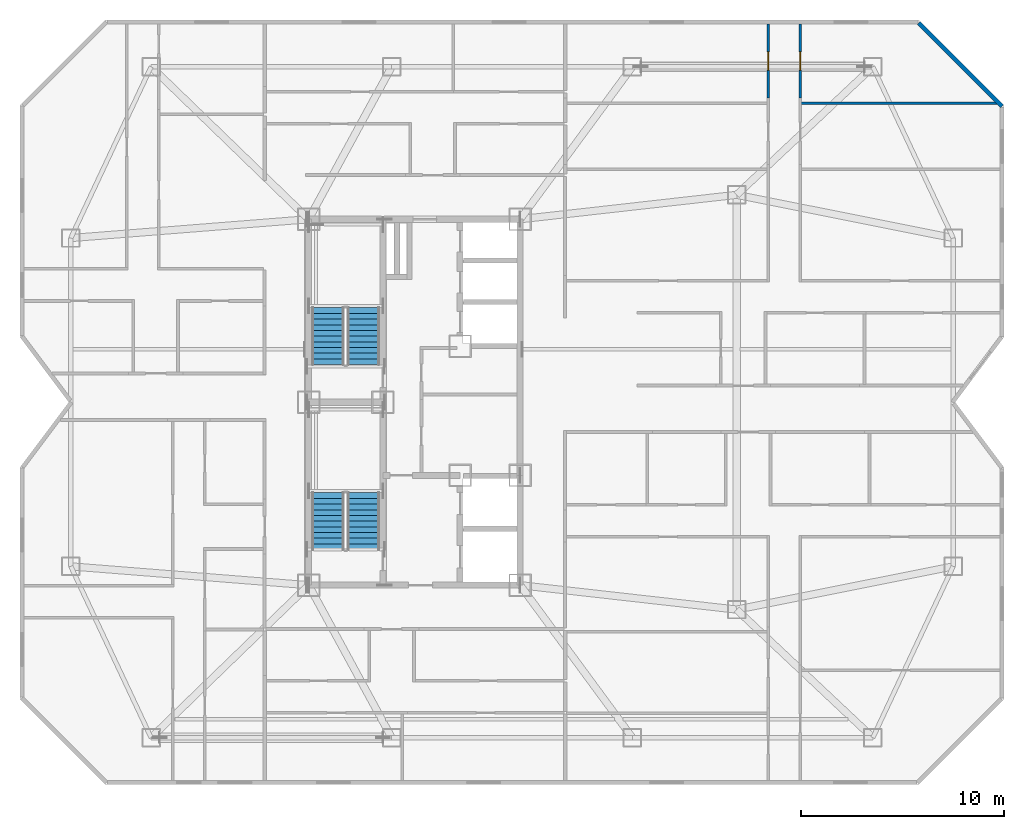
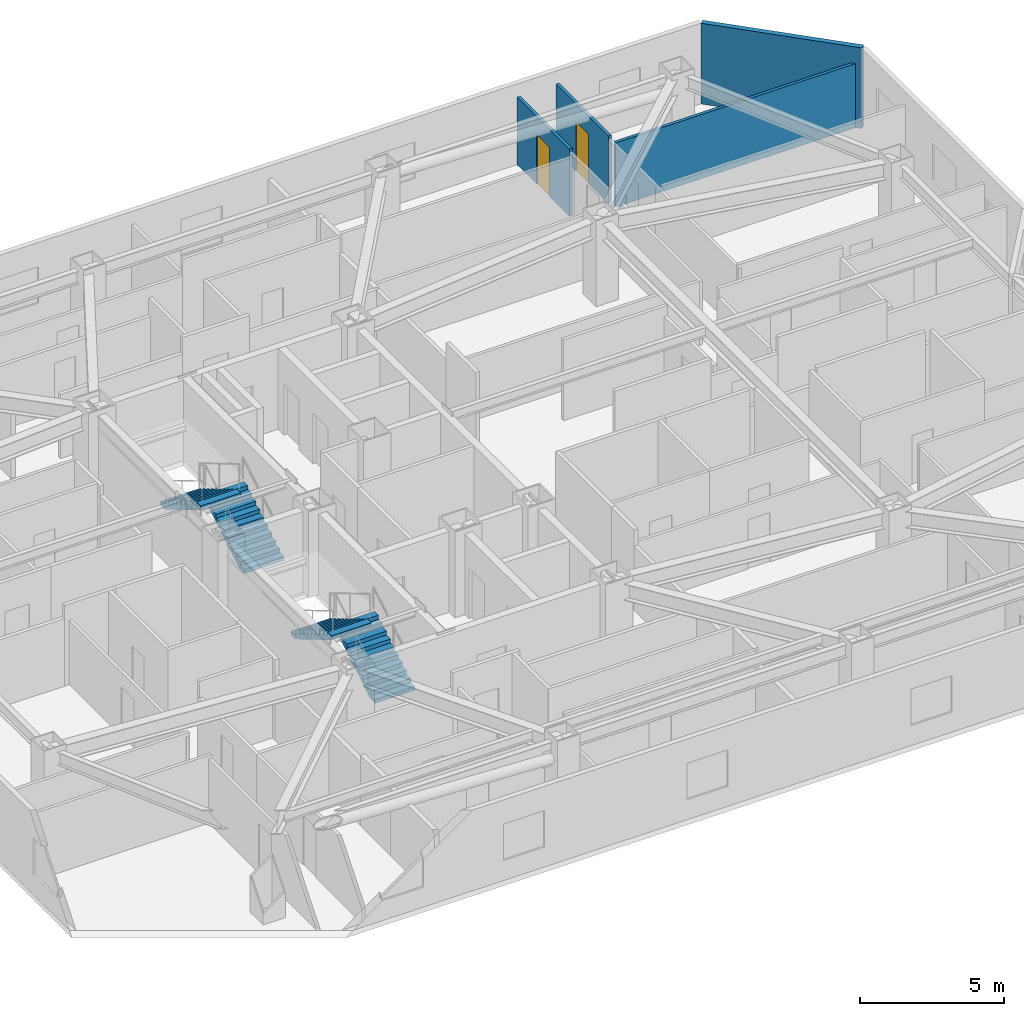
# One storey, part 10 of 11: 4 stair flights, 4 walls, 2 doors, 2 openings, 2 elements without a shape of their own.
"""IFC4 building model written with IfcOpenShell, lengths in metres."""

from ifc_helpers import new_model, si_unit, direction, frame, frame_2d, origin, place, context, subcontext, project, spatial, polyline, rectangle, outline, extrude, material, layer, layer_set, type_object, element, fill, aggregate, save


model = new_model("IFC4")

# Units and contexts
model_context = context("Model", 3, precision=1e-05, world=origin(), true_north=direction((0.0, 1.0)))
body_context = subcontext(model_context, "Body", "Model", "MODEL_VIEW")
ifc_project = project(units=[si_unit("LENGTHUNIT", "METRE"), si_unit("AREAUNIT", "SQUARE_METRE"), si_unit("VOLUMEUNIT", "CUBIC_METRE"), si_unit("PLANEANGLEUNIT", "RADIAN"), si_unit("MASSUNIT", "GRAM", prefix="KILO")], contexts=[model_context])

# Site, building, storey
site_placement = place(None, origin())
site = spatial("IfcSite", under=ifc_project, at=site_placement, CompositionType="ELEMENT")
building_placement = place(site_placement, origin())
building = spatial("IfcBuilding", under=site, at=building_placement, Name="Khamvora Tower", CompositionType="ELEMENT")
storey_placement = place(building_placement, frame((0.0, 0.0, 163.199951171875)))
storey = spatial("IfcBuildingStorey", under=building, at=storey_placement, Name="L41", CompositionType="ELEMENT", Elevation=163.199951171875)

# Wall
ifc_material_1 = material(Name="Precast concrete C40/50", Category="concrete")
ifc_layer_1 = layer(ifc_material_1, 0.199951171875)
ifc_layer_set_1 = layer_set([ifc_layer_1], Name="Precast concrete C40/50")
wall_type_1 = type_object("IfcWallType", Name="WAL-EXT-200", PredefinedType="STANDARD", material=ifc_layer_set_1)
wall_1_placement = place(storey_placement, frame((59.0029296875, 46.656005859375, 0.0), z_axis=(0.0, 0.0, 1.0), x_axis=(0.707127848917, -0.707085712828, 0.0)))
element("IfcWall", 1, at=wall_1_placement, inside=storey, type_object=wall_type_1, Name="L41 exterior facade wall 08.1", PredefinedType="STANDARD", context=body_context, shape_type="SweptSolid", body=[
    extrude(rectangle(XDim=5.794189453125, YDim=0.199951171875, at=frame_2d((2.89697265625, 0.0))), origin(), (0.0, 0.0, 1.0), 3.429931640625),
])

# Wall, opening, door
ifc_material_2 = material(Name="Gypsum Plasterboard Partition", Category="gypsum")
ifc_layer_2 = layer(ifc_material_2, 0.1201171875)
ifc_layer_set_2 = layer_set([ifc_layer_2], Name="Gypsum Plasterboard Partition")
wall_type_2 = type_object("IfcWallType", Name="WAL-PART-120", PredefinedType="PARTITIONING", material=ifc_layer_set_2)
wall_2_placement = place(storey_placement, frame((51.60009765625, 42.9619140625, 0.0), z_axis=(0.0, 0.0, 1.0), x_axis=(0.0, 1.0, 0.0)))
wall_2 = element("IfcWall", 2, at=wall_2_placement, inside=storey, type_object=wall_type_2, Name="L41 interior partition wall 112", PredefinedType="PARTITIONING", context=body_context, shape_type="SweptSolid", body=[
    extrude(rectangle(XDim=3.64599609375, YDim=0.1201171875, at=frame_2d((1.822998046875, 0.0))), origin(), (0.0, 0.0, 1.0), 2.8759765625),
])
opening_1_placement = place(wall_2_placement, frame((1.373046875, 0.0, 0.0)))
opening_1 = element("IfcOpeningElement", 3, at=opening_1_placement, cuts=wall_2, Name="Opening D-RM1", PredefinedType="OPENING", context=body_context, shape_type="SweptSolid", body=[
    extrude(rectangle(XDim=0.89990234375, YDim=2.10009765625, at=frame_2d((0.449951171875, 1.050048828125))), frame((0.0, 0.070068359375, 0.0), z_axis=(0.0, -1.0, 0.0), x_axis=(1.0, 0.0, 0.0)), (0.0, 0.0, 1.0), 0.14013671875),
])
ifc_material_3 = material(Name="Powder-Coated Steel and Hardwood Leaf", Category="steel")
door_type = type_object("IfcDoorType", Name="DOR-ROOM-900", OperationType="NOTDEFINED", PredefinedType="DOOR", material=ifc_material_3)
door_1_placement = place(opening_1_placement, origin())
door_1 = element("IfcDoor", 4, at=door_1_placement, inside=storey, type_object=door_type, Name="L41 interior door 41EBH-41EBR3", OperationType="SINGLE_SWING_LEFT", OverallHeight=2.10009765625, OverallWidth=0.89990234375, PredefinedType="DOOR", context=body_context, shape_type="SweptSolid", body=[
    extrude(rectangle(XDim=0.89990234375, YDim=2.10009765625, at=frame_2d((0.449951171875, 1.050048828125))), frame((0.0, 0.02490234375, 0.0), z_axis=(0.0, -1.0, 0.0), x_axis=(1.0, 0.0, 0.0)), (0.0, 0.0, 1.0), 0.050048828125),
])
fill(opening_1, door_1)

wall_3_placement = place(storey_placement, frame((53.169921875, 46.60791015625, 0.0), z_axis=(0.0, 0.0, 1.0), x_axis=(0.0, -1.0, 0.0)))
wall_3 = element("IfcWall", 5, at=wall_3_placement, inside=storey, type_object=wall_type_2, Name="L41 interior partition wall 116", PredefinedType="PARTITIONING", context=body_context, shape_type="SweptSolid", body=[
    extrude(rectangle(XDim=3.64599609375, YDim=0.1201171875, at=frame_2d((1.822998046875, 0.0))), origin(), (0.0, 0.0, 1.0), 2.8759765625),
])
opening_2_placement = place(wall_3_placement, frame((1.373046875, 0.0, 0.0)))
opening_2 = element("IfcOpeningElement", 6, at=opening_2_placement, cuts=wall_3, Name="Opening D-RM1", PredefinedType="OPENING", context=body_context, shape_type="SweptSolid", body=[
    extrude(rectangle(XDim=0.89990234375, YDim=2.10009765625, at=frame_2d((0.449951171875, 1.050048828125))), frame((0.0, 0.070068359375, 0.0), z_axis=(0.0, -1.0, 0.0), x_axis=(1.0, 0.0, 0.0)), (0.0, 0.0, 1.0), 0.14013671875),
])
door_2_placement = place(opening_2_placement, origin())
door_2 = element("IfcDoor", 7, at=door_2_placement, inside=storey, type_object=door_type, Name="L41 interior door 41EBH-41EBR6", OperationType="SINGLE_SWING_RIGHT", OverallHeight=2.10009765625, OverallWidth=0.89990234375, PredefinedType="DOOR", context=body_context, shape_type="SweptSolid", body=[
    extrude(rectangle(XDim=0.89990234375, YDim=2.10009765625, at=frame_2d((0.449951171875, 1.050048828125))), frame((0.0, 0.02490234375, 0.0), z_axis=(0.0, -1.0, 0.0), x_axis=(1.0, 0.0, 0.0)), (0.0, 0.0, 1.0), 0.050048828125),
])
fill(opening_2, door_2)

# Wall
wall_4_placement = place(storey_placement, frame((53.22412109375, 42.7119140625, 0.0), z_axis=(0.0, 0.0, 1.0), x_axis=(1.0, 0.0, 0.0)))
element("IfcWall", 8, at=wall_4_placement, inside=storey, type_object=wall_type_2, Name="L41 interior partition wall 120", PredefinedType="PARTITIONING", context=body_context, shape_type="SweptSolid", body=[
    extrude(rectangle(XDim=9.7158203125, YDim=0.1201171875, at=frame_2d((4.85791015625, 0.0))), origin(), (0.0, 0.0, 1.0), 2.72509765625),
])

# Stair, stair flights
ifc_material_4 = material(Name="Concrete C40/50", Category="concrete")
stair_type_1 = type_object("IfcStairType", Name="STR-ST-01", PredefinedType="HALF_TURN_STAIR", material=ifc_material_4)
stair_1_placement = place(storey_placement, origin())
stair_1 = element("IfcStair", 9, at=stair_1_placement, inside=storey, type_object=stair_type_1, Name="L41 South Tower Exit Stair ST-01", PredefinedType="HALF_TURN_STAIR")
stair_flight_type_1 = type_object("IfcStairFlightType", Name="STF-ST-01", PredefinedType="STRAIGHT", material=ifc_material_4)
stair_flight_1_placement = place(storey_placement, frame((31.699951171875, 20.75, 0.0), z_axis=(0.0, 0.0, 1.0), x_axis=(0.0, 1.0, 0.0)))
stair_flight_1 = element("IfcStairFlight", 10, at=stair_flight_1_placement, type_object=stair_flight_type_1, Name="ST-01 flight 1", NumberOfRisers=11, NumberOfTreads=10, PredefinedType="STRAIGHT", RiserHeight=0.165909091, TreadLength=0.28, context=body_context, shape_type="SweptSolid", body=[
    extrude(outline(polyline([(0.0, 0.0), (0.0, 0.166015625), (0.280029296875, 0.166015625), (0.280029296875, 0.331787109375), (0.56005859375, 0.331787109375), (0.56005859375, 0.497802734375), (0.840087890625, 0.497802734375), (0.840087890625, 0.66357421875), (1.1201171875, 0.66357421875), (1.1201171875, 0.82958984375), (1.39990234375, 0.82958984375), (1.39990234375, 0.995361328125), (1.679931640625, 0.995361328125), (1.679931640625, 1.161376953125), (1.9599609375, 1.161376953125), (1.9599609375, 1.327392578125), (2.239990234375, 1.327392578125), (2.239990234375, 1.4931640625), (2.52001953125, 1.4931640625), (2.52001953125, 1.6591796875), (2.800048828125, 1.6591796875), (2.800048828125, 1.824951171875), (2.800048828125, 1.48486328125), (0.2939453125, 0.0), (0.0, 0.0)])), frame((0.0, 0.800048828125, 0.0), z_axis=(0.0, -1.0, 0.0), x_axis=(1.0, 0.0, 0.0)), (0.0, 0.0, 1.0), 1.60009765625),
])
stair_flight_2_placement = place(storey_placement, frame((29.949951171875, 23.550048828125, 1.824951171875), z_axis=(0.0, 0.0, 1.0), x_axis=(0.0, -1.0, 0.0)))
stair_flight_2 = element("IfcStairFlight", 11, at=stair_flight_2_placement, type_object=stair_flight_type_1, Name="ST-01 flight 2", NumberOfRisers=11, NumberOfTreads=10, PredefinedType="STRAIGHT", RiserHeight=0.165909091, TreadLength=0.28, context=body_context, shape_type="SweptSolid", body=[
    extrude(outline(polyline([(0.0, 0.0), (0.0, 0.166015625), (0.280029296875, 0.166015625), (0.280029296875, 0.331787109375), (0.56005859375, 0.331787109375), (0.56005859375, 0.497802734375), (0.840087890625, 0.497802734375), (0.840087890625, 0.66357421875), (1.1201171875, 0.66357421875), (1.1201171875, 0.82958984375), (1.39990234375, 0.82958984375), (1.39990234375, 0.995361328125), (1.679931640625, 0.995361328125), (1.679931640625, 1.161376953125), (1.9599609375, 1.161376953125), (1.9599609375, 1.327392578125), (2.239990234375, 1.327392578125), (2.239990234375, 1.4931640625), (2.52001953125, 1.4931640625), (2.52001953125, 1.6591796875), (2.800048828125, 1.6591796875), (2.800048828125, 1.824951171875), (2.800048828125, 1.48486328125), (0.2939453125, 0.0), (0.0, 0.0)])), frame((0.0, 0.800048828125, 0.0), z_axis=(0.0, -1.0, 0.0), x_axis=(1.0, 0.0, 0.0)), (0.0, 0.0, 1.0), 1.60009765625),
])
aggregate(stair_1, [stair_flight_1, stair_flight_2])

stair_type_2 = type_object("IfcStairType", Name="STR-ST-02", PredefinedType="HALF_TURN_STAIR", material=ifc_material_4)
stair_2_placement = place(storey_placement, origin())
stair_2 = element("IfcStair", 12, at=stair_2_placement, inside=storey, type_object=stair_type_2, Name="L41 North Tower Exit Stair ST-02", PredefinedType="HALF_TURN_STAIR")
stair_flight_type_2 = type_object("IfcStairFlightType", Name="STF-ST-02", PredefinedType="STRAIGHT", material=ifc_material_4)
stair_flight_3_placement = place(storey_placement, frame((31.699951171875, 29.85009765625, 0.0), z_axis=(0.0, 0.0, 1.0), x_axis=(0.0, 1.0, 0.0)))
stair_flight_3 = element("IfcStairFlight", 13, at=stair_flight_3_placement, type_object=stair_flight_type_2, Name="ST-02 flight 1", NumberOfRisers=11, NumberOfTreads=10, PredefinedType="STRAIGHT", RiserHeight=0.165909091, TreadLength=0.28, context=body_context, shape_type="SweptSolid", body=[
    extrude(outline(polyline([(0.0, 0.0), (0.0, 0.166015625), (0.280029296875, 0.166015625), (0.280029296875, 0.331787109375), (0.56005859375, 0.331787109375), (0.56005859375, 0.497802734375), (0.840087890625, 0.497802734375), (0.840087890625, 0.66357421875), (1.1201171875, 0.66357421875), (1.1201171875, 0.82958984375), (1.39990234375, 0.82958984375), (1.39990234375, 0.995361328125), (1.679931640625, 0.995361328125), (1.679931640625, 1.161376953125), (1.9599609375, 1.161376953125), (1.9599609375, 1.327392578125), (2.239990234375, 1.327392578125), (2.239990234375, 1.4931640625), (2.52001953125, 1.4931640625), (2.52001953125, 1.6591796875), (2.800048828125, 1.6591796875), (2.800048828125, 1.824951171875), (2.800048828125, 1.48486328125), (0.2939453125, 0.0), (0.0, 0.0)])), frame((0.0, 0.800048828125, 0.0), z_axis=(0.0, -1.0, 0.0), x_axis=(1.0, 0.0, 0.0)), (0.0, 0.0, 1.0), 1.60009765625),
])
stair_flight_4_placement = place(storey_placement, frame((29.949951171875, 32.64990234375, 1.824951171875), z_axis=(0.0, 0.0, 1.0), x_axis=(0.0, -1.0, 0.0)))
stair_flight_4 = element("IfcStairFlight", 14, at=stair_flight_4_placement, type_object=stair_flight_type_2, Name="ST-02 flight 2", NumberOfRisers=11, NumberOfTreads=10, PredefinedType="STRAIGHT", RiserHeight=0.165909091, TreadLength=0.28, context=body_context, shape_type="SweptSolid", body=[
    extrude(outline(polyline([(0.0, 0.0), (0.0, 0.166015625), (0.280029296875, 0.166015625), (0.280029296875, 0.331787109375), (0.56005859375, 0.331787109375), (0.56005859375, 0.497802734375), (0.840087890625, 0.497802734375), (0.840087890625, 0.66357421875), (1.1201171875, 0.66357421875), (1.1201171875, 0.82958984375), (1.39990234375, 0.82958984375), (1.39990234375, 0.995361328125), (1.679931640625, 0.995361328125), (1.679931640625, 1.161376953125), (1.9599609375, 1.161376953125), (1.9599609375, 1.327392578125), (2.239990234375, 1.327392578125), (2.239990234375, 1.4931640625), (2.52001953125, 1.4931640625), (2.52001953125, 1.6591796875), (2.800048828125, 1.6591796875), (2.800048828125, 1.824951171875), (2.800048828125, 1.48486328125), (0.2939453125, 0.0), (0.0, 0.0)])), frame((0.0, 0.800048828125, 0.0), z_axis=(0.0, -1.0, 0.0), x_axis=(1.0, 0.0, 0.0)), (0.0, 0.0, 1.0), 1.60009765625),
])
aggregate(stair_2, [stair_flight_3, stair_flight_4])

save(model, "model.ifc")
